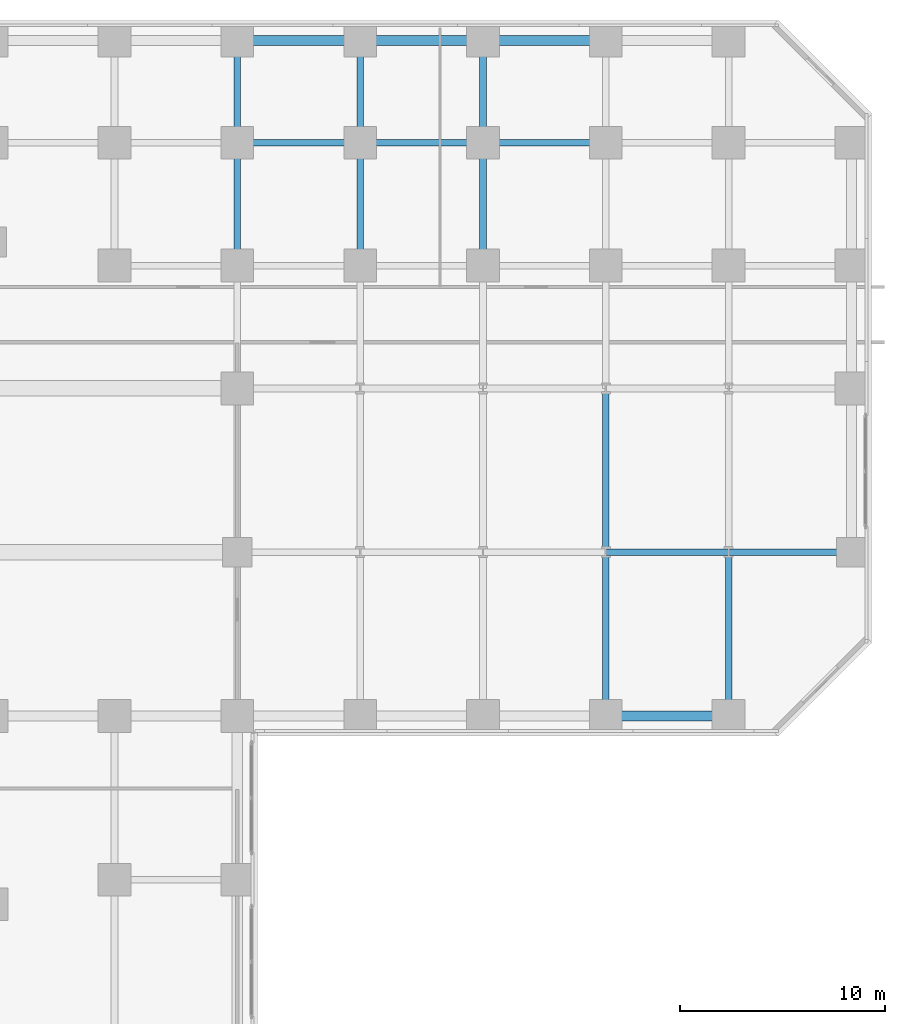
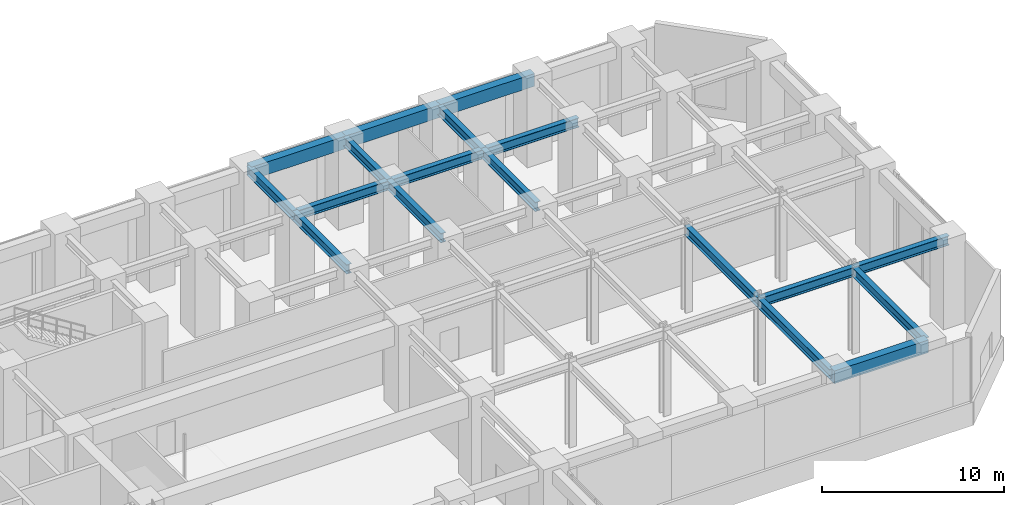
# One storey, part 21 of 34: 18 beams.
"""IFC4 building model written with IfcOpenShell, lengths in metres."""

from ifc_helpers import new_model, si_unit, direction, frame, origin, origin_2d, place, context, subcontext, project, spatial, rectangle, i_section, extrude, source, transform, mapped, material, material_profile, profile_set, type_object, element, save


model = new_model("IFC4")

# Units and contexts
model_context = context("Model", 3, precision=1e-05, world=origin(), true_north=direction((0.0, 1.0)))
body_context = subcontext(model_context, "Body", "Model", "MODEL_VIEW")
ifc_project = project(units=[si_unit("LENGTHUNIT", "METRE"), si_unit("AREAUNIT", "SQUARE_METRE"), si_unit("VOLUMEUNIT", "CUBIC_METRE"), si_unit("PLANEANGLEUNIT", "RADIAN"), si_unit("MASSUNIT", "GRAM", prefix="KILO")], contexts=[model_context])

# Site, building, storey
site_placement = place(None, origin())
site = spatial("IfcSite", under=ifc_project, at=site_placement, CompositionType="ELEMENT")
building_placement = place(site_placement, origin())
building = spatial("IfcBuilding", under=site, at=building_placement, Name="Torre Montelarca", CompositionType="ELEMENT")
storey_placement = place(building_placement, frame((0.0, 0.0, 6.0)))
storey = spatial("IfcBuildingStorey", under=building, at=storey_placement, Name="L02", CompositionType="ELEMENT", Elevation=6.0)

# Beams
ifc_material_1 = material(Name="Concrete C55/67", Category="concrete")
ifc_material_profile_1 = material_profile(ifc_material_1, rectangle(XDim=0.5, YDim=0.85009765625, at=origin_2d()), Name="RCB500X850", Category="concrete")
ifc_profile_set_1 = profile_set([ifc_material_profile_1], Name="Concrete C55/67")
beam_type_1 = type_object("IfcBeamType", Name="BM-SP-RC850-EXT", PredefinedType="SPANDREL", material=ifc_profile_set_1)
shared_shape_1 = source(origin(), body_context, "Body", "SweptSolid", [
    extrude(rectangle(XDim=0.5, YDim=0.85009765625, at=origin_2d()), origin(), (0.0, 0.0, 1.0), 6.0),
])
for number, where, z_axis, x_axis, name in (
    (1, (66.0, 24.0, 5.31494140625), (1.0, 0.0, 0.0), (0.0, 1.0, 0.0), "L02 Grid Girder X 66.0-72.0 at Y=24.0"),
    (2, (48.0, 57.0, 5.31494140625), (1.0, 0.0, 0.0), (0.0, 1.0, 0.0), "L02 Grid Girder X 48.0-54.0 at Y=57.0"),
    (3, (54.0, 57.0, 5.31494140625), (1.0, 0.0, 0.0), (0.0, 1.0, 0.0), "L02 Grid Girder X 54.0-60.0 at Y=57.0"),
    (4, (60.0, 57.0, 5.31494140625), (1.0, 0.0, 0.0), (0.0, 1.0, 0.0), "L02 Grid Girder X 60.0-66.0 at Y=57.0"),
):
    element("IfcBeam", number, at=place(storey_placement, frame(where, z_axis=z_axis, x_axis=x_axis)), inside=storey, type_object=beam_type_1, Name=name, PredefinedType="SPANDREL", context=body_context, shape_type="MappedRepresentation", body=[
        mapped(shared_shape_1, transform((0.0, 0.0, 0.0), scale=1.0)),
    ])
ifc_material_2 = material(Name="Steel ASTM A992 Grade 50", Category="steel")
ifc_material_profile_2 = material_profile(ifc_material_2, i_section(OverallWidth=0.326904296875, OverallDepth=0.6220703125, WebThickness=0.015380859375, FlangeThickness=0.0244140625, FilletRadius=0.014892578125, at=origin_2d()), Name="W610X195", Category="steel")
ifc_profile_set_2 = profile_set([ifc_material_profile_2], Name="Steel ASTM A992 Grade 50")
beam_type_2 = type_object("IfcBeamType", Name="BM-G-W610H", PredefinedType="BEAM", material=ifc_profile_set_2)
shared_shape_2 = source(origin(), body_context, "Body", "SweptSolid", [
    extrude(i_section(OverallWidth=0.326904296875, OverallDepth=0.6220703125, WebThickness=0.015380859375, FlangeThickness=0.0244140625, FilletRadius=0.014892578125, at=origin_2d()), origin(), (0.0, 0.0, 1.0), 6.0),
])
for number, where, z_axis, x_axis, name in (
    (5, (66.0, 32.0, 5.428955078125), (1.0, 0.0, 0.0), (0.0, 1.0, 0.0), "L02 Grid Girder X 66.0-72.0 at Y=32.0"),
    (6, (72.0, 32.0, 5.428955078125), (1.0, 0.0, 0.0), (0.0, 1.0, 0.0), "L02 Grid Girder X 72.0-78.0 at Y=32.0"),
    (7, (48.0, 52.0, 5.428955078125), (1.0, 0.0, 0.0), (0.0, 1.0, 0.0), "L02 Grid Girder X 48.0-54.0 at Y=52.0"),
    (8, (54.0, 52.0, 5.428955078125), (1.0, 0.0, 0.0), (0.0, 1.0, 0.0), "L02 Grid Girder X 54.0-60.0 at Y=52.0"),
    (9, (60.0, 52.0, 5.428955078125), (1.0, 0.0, 0.0), (0.0, 1.0, 0.0), "L02 Grid Girder X 60.0-66.0 at Y=52.0"),
    (10, (48.0, 46.0, 5.428955078125), (0.0, 1.0, 0.0), (-1.0, 0.0, 0.0), "L02 Grid Girder Y 46.0-52.0 at X=48.0"),
    (11, (54.0, 46.0, 5.428955078125), (0.0, 1.0, 0.0), (-1.0, 0.0, 0.0), "L02 Grid Girder Y 46.0-52.0 at X=54.0"),
    (12, (60.0, 46.0, 5.428955078125), (0.0, 1.0, 0.0), (-1.0, 0.0, 0.0), "L02 Grid Girder Y 46.0-52.0 at X=60.0"),
):
    element("IfcBeam", number, at=place(storey_placement, frame(where, z_axis=z_axis, x_axis=x_axis)), inside=storey, type_object=beam_type_2, Name=name, PredefinedType="BEAM", context=body_context, shape_type="MappedRepresentation", body=[
        mapped(shared_shape_2, transform((0.0, 0.0, 0.0), scale=1.0)),
    ])
shared_shape_3 = source(origin(), body_context, "Body", "SweptSolid", [
    extrude(i_section(OverallWidth=0.326904296875, OverallDepth=0.6220703125, WebThickness=0.015380859375, FlangeThickness=0.0244140625, FilletRadius=0.014892578125, at=origin_2d()), origin(), (0.0, 0.0, 1.0), 8.0),
])
for number, where, z_axis, x_axis, name in (
    (13, (66.0, 24.0, 5.428955078125), (0.0, 1.0, 0.0), (-1.0, 0.0, 0.0), "L02 Grid Girder Y 24.0-32.0 at X=66.0"),
    (14, (66.0, 32.0, 5.428955078125), (0.0, 1.0, 0.0), (-1.0, 0.0, 0.0), "L02 Grid Girder Y 32.0-40.0 at X=66.0"),
    (15, (72.0, 24.0, 5.428955078125), (0.0, 1.0, 0.0), (-1.0, 0.0, 0.0), "L02 Grid Girder Y 24.0-32.0 at X=72.0"),
):
    element("IfcBeam", number, at=place(storey_placement, frame(where, z_axis=z_axis, x_axis=x_axis)), inside=storey, type_object=beam_type_2, Name=name, PredefinedType="BEAM", context=body_context, shape_type="MappedRepresentation", body=[
        mapped(shared_shape_3, transform((0.0, 0.0, 0.0), scale=1.0)),
    ])
shared_shape_4 = source(origin(), body_context, "Body", "SweptSolid", [
    extrude(i_section(OverallWidth=0.326904296875, OverallDepth=0.6220703125, WebThickness=0.015380859375, FlangeThickness=0.0244140625, FilletRadius=0.014892578125, at=origin_2d()), origin(), (0.0, 0.0, 1.0), 5.0),
])
for number, where, z_axis, x_axis, name in (
    (16, (48.0, 52.0, 5.428955078125), (0.0, 1.0, 0.0), (-1.0, 0.0, 0.0), "L02 Grid Girder Y 52.0-57.0 at X=48.0"),
    (17, (54.0, 52.0, 5.428955078125), (0.0, 1.0, 0.0), (-1.0, 0.0, 0.0), "L02 Grid Girder Y 52.0-57.0 at X=54.0"),
    (18, (60.0, 52.0, 5.428955078125), (0.0, 1.0, 0.0), (-1.0, 0.0, 0.0), "L02 Grid Girder Y 52.0-57.0 at X=60.0"),
):
    element("IfcBeam", number, at=place(storey_placement, frame(where, z_axis=z_axis, x_axis=x_axis)), inside=storey, type_object=beam_type_2, Name=name, PredefinedType="BEAM", context=body_context, shape_type="MappedRepresentation", body=[
        mapped(shared_shape_4, transform((0.0, 0.0, 0.0), scale=1.0)),
    ])

save(model, "model.ifc")
